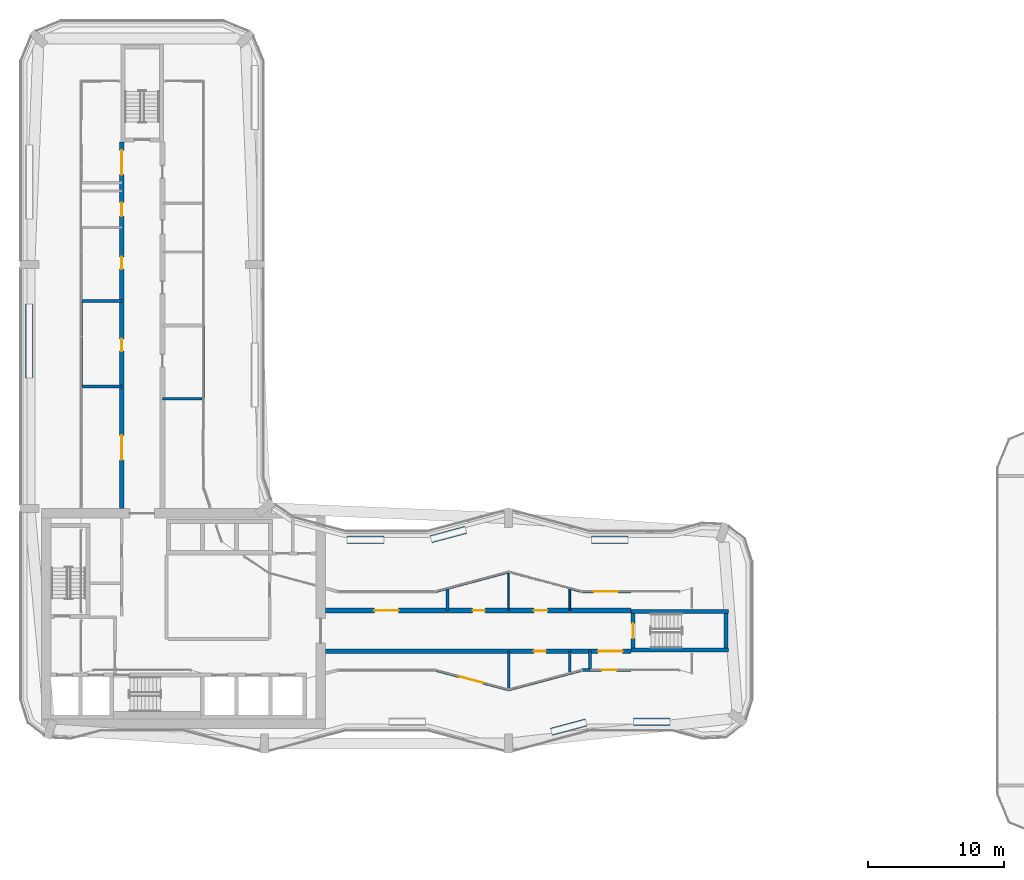
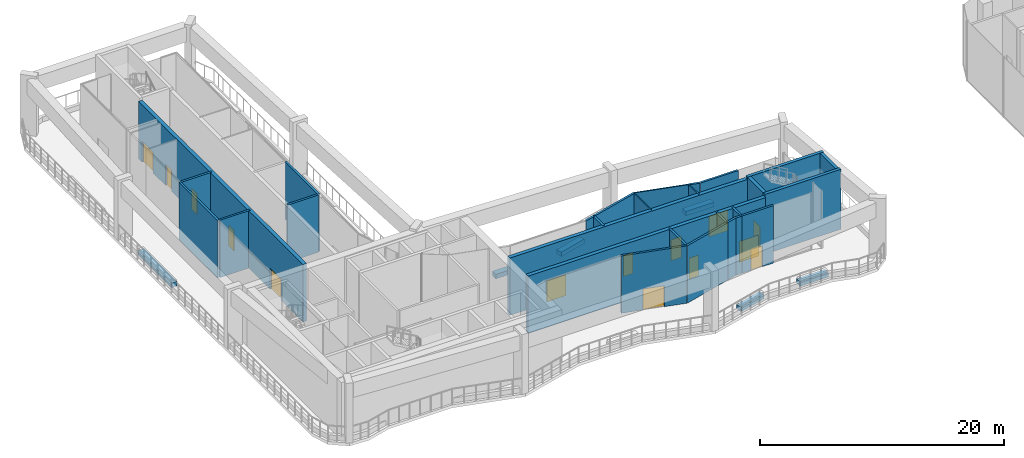
# One storey, part 15 of 24: 34 walls, 14 doors, 14 openings.
"""IFC4 building model written with IfcOpenShell, lengths in metres."""

from ifc_helpers import new_model, si_unit, direction, frame, frame_2d, origin, place, context, subcontext, project, spatial, rectangle, extrude, material, layer, layer_set, type_object, element, fill, save


model = new_model("IFC4")

# Units and contexts
model_context = context("Model", 3, precision=1e-05, world=origin(), true_north=direction((0.0, 1.0)))
body_context = subcontext(model_context, "Body", "Model", "MODEL_VIEW")
ifc_project = project(units=[si_unit("LENGTHUNIT", "METRE"), si_unit("AREAUNIT", "SQUARE_METRE"), si_unit("VOLUMEUNIT", "CUBIC_METRE"), si_unit("PLANEANGLEUNIT", "RADIAN"), si_unit("MASSUNIT", "GRAM", prefix="KILO")], contexts=[model_context])

# Site, building, storey
site_placement = place(None, origin())
site = spatial("IfcSite", under=ifc_project, at=site_placement, CompositionType="ELEMENT")
building_placement = place(site_placement, origin())
building = spatial("IfcBuilding", under=site, at=building_placement, Name="Plateau Cross Towers", CompositionType="ELEMENT")
storey_placement = place(building_placement, frame((0.0, 0.0, 72.300048828125)))
storey = spatial("IfcBuildingStorey", under=building, at=storey_placement, Name="L18", CompositionType="ELEMENT", Elevation=72.300048828125)

# Wall, openings, doors
ifc_material_1 = material(Name="Concrete C60/75", Category="concrete")
ifc_layer_1 = layer(ifc_material_1, 0.35009765625)
ifc_layer_set_1 = layer_set([ifc_layer_1], Name="Concrete C60/75")
wall_type_1 = type_object("IfcWallType", Name="Outrigger wall 350", PredefinedType="SHEAR", material=ifc_layer_set_1)
wall_1_placement = place(storey_placement, frame((22.5, 7.5, 0.0), z_axis=(0.0, 0.0, 1.0), x_axis=(1.0, 0.0, 0.0)))
wall_1 = element("IfcWall", 1, at=wall_1_placement, inside=storey, type_object=wall_type_1, Name="A-cw-S1@L18", PredefinedType="SHEAR", context=body_context, shape_type="SweptSolid", body=[
    extrude(rectangle(XDim=22.5, YDim=0.35009765625, at=frame_2d((11.25, 0.0))), origin(), (0.0, 0.0, 1.0), 5.75),
])
opening_1_placement = place(wall_1_placement, frame((20.10009765625, 0.0, 0.0)))
opening_1 = element("IfcOpeningElement", 2, at=opening_1_placement, cuts=wall_1, Name="Opening 18-01", PredefinedType="OPENING", context=body_context, shape_type="SweptSolid", body=[
    extrude(rectangle(XDim=1.800048828125, YDim=2.10009765625, at=frame_2d((0.89990234375, 1.050048828125))), frame((0.0, 0.18505859375, 0.0), z_axis=(0.0, -1.0, 0.0), x_axis=(1.0, 0.0, 0.0)), (0.0, 0.0, 1.0), 0.3701171875),
])
opening_2_placement = place(wall_1_placement, frame((15.35009765625, 0.0, 0.0)))
opening_2 = element("IfcOpeningElement", 3, at=opening_2_placement, cuts=wall_1, Name="Opening 18-04", PredefinedType="OPENING", context=body_context, shape_type="SweptSolid", body=[
    extrude(rectangle(XDim=0.89990234375, YDim=2.10009765625, at=frame_2d((0.449951171875, 1.050048828125))), frame((0.0, 0.18505859375, 0.0), z_axis=(0.0, -1.0, 0.0), x_axis=(1.0, 0.0, 0.0)), (0.0, 0.0, 1.0), 0.3701171875),
])
ifc_material_2 = material(Name="Aluminium frame, toughened glass", Category="aluminium")
door_type_1 = type_object("IfcDoorType", Name="Podium door pair 1800", OperationType="NOTDEFINED", PredefinedType="DOOR", material=ifc_material_2)
door_1_placement = place(opening_1_placement, origin())
door_1 = element("IfcDoor", 4, at=door_1_placement, inside=storey, type_object=door_type_1, Name="Door 18-01", OperationType="DOUBLE_DOOR_SINGLE_SWING", OverallHeight=2.10009765625, OverallWidth=1.800048828125, PredefinedType="DOOR", context=body_context, shape_type="SweptSolid", body=[
    extrude(rectangle(XDim=1.800048828125, YDim=2.10009765625, at=frame_2d((0.89990234375, 1.050048828125))), frame((0.0, 0.02490234375, 0.0), z_axis=(0.0, -1.0, 0.0), x_axis=(1.0, 0.0, 0.0)), (0.0, 0.0, 1.0), 0.050048828125),
])
fill(opening_1, door_1)
ifc_material_3 = material(Name="Timber leaf", Category="wood")
door_type_2 = type_object("IfcDoorType", Name="Podium room door 900", OperationType="NOTDEFINED", PredefinedType="DOOR", material=ifc_material_3)
door_2_placement = place(opening_2_placement, origin())
door_2 = element("IfcDoor", 5, at=door_2_placement, inside=storey, type_object=door_type_2, Name="Door 18-04", OperationType="SINGLE_SWING_RIGHT", OverallHeight=2.10009765625, OverallWidth=0.89990234375, PredefinedType="DOOR", context=body_context, shape_type="SweptSolid", body=[
    extrude(rectangle(XDim=0.89990234375, YDim=2.10009765625, at=frame_2d((0.449951171875, 1.050048828125))), frame((0.0, 0.02490234375, 0.0), z_axis=(0.0, -1.0, 0.0), x_axis=(1.0, 0.0, 0.0)), (0.0, 0.0, 1.0), 0.050048828125),
])
fill(opening_2, door_2)

wall_2_placement = place(storey_placement, frame((22.5, 10.5, 0.0), z_axis=(0.0, 0.0, 1.0), x_axis=(1.0, 0.0, 0.0)))
wall_2 = element("IfcWall", 6, at=wall_2_placement, inside=storey, type_object=wall_type_1, Name="A-cw-S2@L18", PredefinedType="SHEAR", context=body_context, shape_type="SweptSolid", body=[
    extrude(rectangle(XDim=22.5, YDim=0.35009765625, at=frame_2d((11.25, 0.0))), origin(), (0.0, 0.0, 1.0), 5.75),
])
opening_3_placement = place(wall_2_placement, frame((10.85009765625, 0.0, 0.0)))
opening_3 = element("IfcOpeningElement", 7, at=opening_3_placement, cuts=wall_2, Name="Opening 18-05", PredefinedType="OPENING", context=body_context, shape_type="SweptSolid", body=[
    extrude(rectangle(XDim=0.89990234375, YDim=2.10009765625, at=frame_2d((0.449951171875, 1.050048828125))), frame((0.0, 0.18505859375, 0.0), z_axis=(0.0, -1.0, 0.0), x_axis=(1.0, 0.0, 0.0)), (0.0, 0.0, 1.0), 0.3701171875),
])
opening_4_placement = place(wall_2_placement, frame((15.35009765625, 0.0, 0.0)))
opening_4 = element("IfcOpeningElement", 8, at=opening_4_placement, cuts=wall_2, Name="Opening 18-06", PredefinedType="OPENING", context=body_context, shape_type="SweptSolid", body=[
    extrude(rectangle(XDim=1.0, YDim=2.10009765625, at=frame_2d((0.5, 1.050048828125))), frame((0.0, 0.18505859375, 0.0), z_axis=(0.0, -1.0, 0.0), x_axis=(1.0, 0.0, 0.0)), (0.0, 0.0, 1.0), 0.3701171875),
])
opening_5_placement = place(wall_2_placement, frame((3.60009765625, 0.0, 0.0)))
opening_5 = element("IfcOpeningElement", 9, at=opening_5_placement, cuts=wall_2, Name="Opening 18-19", PredefinedType="OPENING", context=body_context, shape_type="SweptSolid", body=[
    extrude(rectangle(XDim=1.800048828125, YDim=2.10009765625, at=frame_2d((0.89990234375, 1.050048828125))), frame((0.0, 0.18505859375, 0.0), z_axis=(0.0, -1.0, 0.0), x_axis=(1.0, 0.0, 0.0)), (0.0, 0.0, 1.0), 0.3701171875),
])
door_type_3 = type_object("IfcDoorType", Name="Podium clinic door 1000", OperationType="NOTDEFINED", PredefinedType="DOOR", material=ifc_material_3)
door_3_placement = place(opening_4_placement, origin())
door_3 = element("IfcDoor", 10, at=door_3_placement, inside=storey, type_object=door_type_3, Name="Door 18-06", OperationType="SINGLE_SWING_RIGHT", OverallHeight=2.10009765625, OverallWidth=1.0, PredefinedType="DOOR", context=body_context, shape_type="SweptSolid", body=[
    extrude(rectangle(XDim=1.0, YDim=2.10009765625, at=frame_2d((0.5, 1.050048828125))), frame((0.0, 0.02490234375, 0.0), z_axis=(0.0, -1.0, 0.0), x_axis=(1.0, 0.0, 0.0)), (0.0, 0.0, 1.0), 0.050048828125),
])
fill(opening_4, door_3)
door_4_placement = place(opening_5_placement, origin())
door_4 = element("IfcDoor", 11, at=door_4_placement, inside=storey, type_object=door_type_1, Name="Door 18-19", OperationType="DOUBLE_DOOR_SINGLE_SWING", OverallHeight=2.10009765625, OverallWidth=1.800048828125, PredefinedType="DOOR", context=body_context, shape_type="SweptSolid", body=[
    extrude(rectangle(XDim=1.800048828125, YDim=2.10009765625, at=frame_2d((0.89990234375, 1.050048828125))), frame((0.0, 0.02490234375, 0.0), z_axis=(0.0, -1.0, 0.0), x_axis=(1.0, 0.0, 0.0)), (0.0, 0.0, 1.0), 0.050048828125),
])
fill(opening_5, door_4)
door_5_placement = place(opening_3_placement, origin())
door_5 = element("IfcDoor", 12, at=door_5_placement, inside=storey, type_object=door_type_2, Name="Door 18-05", OperationType="SINGLE_SWING_LEFT", OverallHeight=2.10009765625, OverallWidth=0.89990234375, PredefinedType="DOOR", context=body_context, shape_type="SweptSolid", body=[
    extrude(rectangle(XDim=0.89990234375, YDim=2.10009765625, at=frame_2d((0.449951171875, 1.050048828125))), frame((0.0, 0.02490234375, 0.0), z_axis=(0.0, -1.0, 0.0), x_axis=(1.0, 0.0, 0.0)), (0.0, 0.0, 1.0), 0.050048828125),
])
fill(opening_3, door_5)

wall_3_placement = place(storey_placement, frame((7.5, 18.0, 0.0), z_axis=(0.0, 0.0, 1.0), x_axis=(0.0, 1.0, 0.0)))
wall_3 = element("IfcWall", 13, at=wall_3_placement, inside=storey, type_object=wall_type_1, Name="A-cw-W1@L18", PredefinedType="SHEAR", context=body_context, shape_type="SweptSolid", body=[
    extrude(rectangle(XDim=27.0, YDim=0.35009765625, at=frame_2d((13.5, 0.0))), origin(), (0.0, 0.0, 1.0), 5.75),
])
opening_6_placement = place(wall_3_placement, frame((24.60009765625, 0.0, 0.0)))
opening_6 = element("IfcOpeningElement", 14, at=opening_6_placement, cuts=wall_3, Name="Opening 18-03", PredefinedType="OPENING", context=body_context, shape_type="SweptSolid", body=[
    extrude(rectangle(XDim=1.800048828125, YDim=2.10009765625, at=frame_2d((0.89990234375, 1.050048828125))), frame((0.0, 0.18505859375, 0.0), z_axis=(0.0, -1.0, 0.0), x_axis=(1.0, 0.0, 0.0)), (0.0, 0.0, 1.0), 0.3701171875),
])
opening_7_placement = place(wall_3_placement, frame((11.60009765625, 0.0, 0.0)))
opening_7 = element("IfcOpeningElement", 15, at=opening_7_placement, cuts=wall_3, Name="Opening 18-07", PredefinedType="OPENING", context=body_context, shape_type="SweptSolid", body=[
    extrude(rectangle(XDim=0.89990234375, YDim=2.10009765625, at=frame_2d((0.449951171875, 1.050048828125))), frame((0.0, 0.18505859375, 0.0), z_axis=(0.0, -1.0, 0.0), x_axis=(1.0, 0.0, 0.0)), (0.0, 0.0, 1.0), 0.3701171875),
])
opening_8_placement = place(wall_3_placement, frame((17.64990234375, 0.0, 0.0)))
opening_8 = element("IfcOpeningElement", 16, at=opening_8_placement, cuts=wall_3, Name="Opening 18-08", PredefinedType="OPENING", context=body_context, shape_type="SweptSolid", body=[
    extrude(rectangle(XDim=0.89990234375, YDim=2.10009765625, at=frame_2d((0.449951171875, 1.050048828125))), frame((0.0, 0.18505859375, 0.0), z_axis=(0.0, -1.0, 0.0), x_axis=(1.0, 0.0, 0.0)), (0.0, 0.0, 1.0), 0.3701171875),
])
opening_9_placement = place(wall_3_placement, frame((21.550048828125, 0.0, 0.0)))
opening_9 = element("IfcOpeningElement", 17, at=opening_9_placement, cuts=wall_3, Name="Opening 18-09", PredefinedType="OPENING", context=body_context, shape_type="SweptSolid", body=[
    extrude(rectangle(XDim=1.0, YDim=2.10009765625, at=frame_2d((0.5, 1.050048828125))), frame((0.0, 0.18505859375, 0.0), z_axis=(0.0, -1.0, 0.0), x_axis=(1.0, 0.0, 0.0)), (0.0, 0.0, 1.0), 0.3701171875),
])
opening_10_placement = place(wall_3_placement, frame((3.60009765625, 0.0, 0.0)))
opening_10 = element("IfcOpeningElement", 18, at=opening_10_placement, cuts=wall_3, Name="Opening 18-17", PredefinedType="OPENING", context=body_context, shape_type="SweptSolid", body=[
    extrude(rectangle(XDim=1.800048828125, YDim=2.10009765625, at=frame_2d((0.89990234375, 1.050048828125))), frame((0.0, 0.18505859375, 0.0), z_axis=(0.0, -1.0, 0.0), x_axis=(1.0, 0.0, 0.0)), (0.0, 0.0, 1.0), 0.3701171875),
])
door_6_placement = place(opening_9_placement, origin())
door_6 = element("IfcDoor", 19, at=door_6_placement, inside=storey, type_object=door_type_3, Name="Door 18-09", OperationType="SINGLE_SWING_RIGHT", OverallHeight=2.10009765625, OverallWidth=1.0, PredefinedType="DOOR", context=body_context, shape_type="SweptSolid", body=[
    extrude(rectangle(XDim=1.0, YDim=2.10009765625, at=frame_2d((0.5, 1.050048828125))), frame((0.0, 0.02490234375, 0.0), z_axis=(0.0, -1.0, 0.0), x_axis=(1.0, 0.0, 0.0)), (0.0, 0.0, 1.0), 0.050048828125),
])
fill(opening_9, door_6)
door_7_placement = place(opening_6_placement, origin())
door_7 = element("IfcDoor", 20, at=door_7_placement, inside=storey, type_object=door_type_1, Name="Door 18-03", OperationType="DOUBLE_DOOR_SINGLE_SWING", OverallHeight=2.10009765625, OverallWidth=1.800048828125, PredefinedType="DOOR", context=body_context, shape_type="SweptSolid", body=[
    extrude(rectangle(XDim=1.800048828125, YDim=2.10009765625, at=frame_2d((0.89990234375, 1.050048828125))), frame((0.0, 0.02490234375, 0.0), z_axis=(0.0, -1.0, 0.0), x_axis=(1.0, 0.0, 0.0)), (0.0, 0.0, 1.0), 0.050048828125),
])
fill(opening_6, door_7)
door_8_placement = place(opening_10_placement, origin())
door_8 = element("IfcDoor", 21, at=door_8_placement, inside=storey, type_object=door_type_1, Name="Door 18-17", OperationType="DOUBLE_DOOR_SINGLE_SWING", OverallHeight=2.10009765625, OverallWidth=1.800048828125, PredefinedType="DOOR", context=body_context, shape_type="SweptSolid", body=[
    extrude(rectangle(XDim=1.800048828125, YDim=2.10009765625, at=frame_2d((0.89990234375, 1.050048828125))), frame((0.0, 0.02490234375, 0.0), z_axis=(0.0, -1.0, 0.0), x_axis=(1.0, 0.0, 0.0)), (0.0, 0.0, 1.0), 0.050048828125),
])
fill(opening_10, door_8)
door_9_placement = place(opening_7_placement, origin())
door_9 = element("IfcDoor", 22, at=door_9_placement, inside=storey, type_object=door_type_2, Name="Door 18-07", OperationType="SINGLE_SWING_LEFT", OverallHeight=2.10009765625, OverallWidth=0.89990234375, PredefinedType="DOOR", context=body_context, shape_type="SweptSolid", body=[
    extrude(rectangle(XDim=0.89990234375, YDim=2.10009765625, at=frame_2d((0.449951171875, 1.050048828125))), frame((0.0, 0.02490234375, 0.0), z_axis=(0.0, -1.0, 0.0), x_axis=(1.0, 0.0, 0.0)), (0.0, 0.0, 1.0), 0.050048828125),
])
fill(opening_7, door_9)
door_10_placement = place(opening_8_placement, origin())
door_10 = element("IfcDoor", 23, at=door_10_placement, inside=storey, type_object=door_type_2, Name="Door 18-08", OperationType="SINGLE_SWING_RIGHT", OverallHeight=2.10009765625, OverallWidth=0.89990234375, PredefinedType="DOOR", context=body_context, shape_type="SweptSolid", body=[
    extrude(rectangle(XDim=0.89990234375, YDim=2.10009765625, at=frame_2d((0.449951171875, 1.050048828125))), frame((0.0, 0.02490234375, 0.0), z_axis=(0.0, -1.0, 0.0), x_axis=(1.0, 0.0, 0.0)), (0.0, 0.0, 1.0), 0.050048828125),
])
fill(opening_8, door_10)

# Walls
ifc_material_4 = material(Name="Concrete C30/37", Category="concrete")
ifc_layer_2 = layer(ifc_material_4, 0.550048828125)
ifc_layer_set_2 = layer_set([ifc_layer_2], Name="Concrete C30/37")
wall_type_2 = type_object("IfcWallType", Name="Planter upstand 550", PredefinedType="STANDARD", material=ifc_layer_set_2)
wall_4_placement = place(storey_placement, frame((0.695068359375, 27.638916015625, 0.0), z_axis=(0.0, 0.0, 1.0), x_axis=(0.0, 1.0, 0.0)))
element("IfcWall", 24, at=wall_4_placement, inside=storey, type_object=wall_type_2, Name="Planter 1", PredefinedType="STANDARD", context=body_context, shape_type="SweptSolid", body=[
    extrude(rectangle(XDim=5.455810546875, YDim=0.550048828125, at=frame_2d((2.72802734375, 0.0))), origin(), (0.0, 0.0, 1.0), 0.449951171875),
])
wall_5_placement = place(storey_placement, frame((24.108642578125, 15.697998046875, 0.0), z_axis=(0.0, 0.0, 1.0), x_axis=(1.0, 0.0, 0.0)))
element("IfcWall", 25, at=wall_5_placement, inside=storey, type_object=wall_type_2, Name="Planter 5", PredefinedType="STANDARD", context=body_context, shape_type="SweptSolid", body=[
    extrude(rectangle(XDim=2.69140625, YDim=0.550048828125, at=frame_2d((1.345703125, 0.0))), origin(), (0.0, 0.0, 1.0), 0.449951171875),
])
wall_6_placement = place(storey_placement, frame((30.28466796875, 15.749755859375, 0.0), z_axis=(0.0, 0.0, 1.0), x_axis=(0.96595542878, 0.258708541821, 0.0)))
element("IfcWall", 26, at=wall_6_placement, inside=storey, type_object=wall_type_2, Name="Planter 6", PredefinedType="STANDARD", context=body_context, shape_type="SweptSolid", body=[
    extrude(rectangle(XDim=2.658447265625, YDim=0.550048828125, at=frame_2d((1.3291015625, 0.0))), origin(), (0.0, 0.0, 1.0), 0.449951171875),
])
for number, where, z_axis, x_axis, name in (
    (27, (42.108642578125, 15.697998046875, 0.0), (0.0, 0.0, 1.0), (1.0, 0.0, 0.0), "Planter 7"),
    (28, (47.891357421875, 2.302001953125, 0.0), (0.0, 0.0, 1.0), (-1.0, 0.0, 0.0), "Planter 8"),
):
    element("IfcWall", number, at=place(storey_placement, frame(where, z_axis=z_axis, x_axis=x_axis)), inside=storey, type_object=wall_type_2, Name=name, PredefinedType="STANDARD", context=body_context, shape_type="SweptSolid", body=[
        extrude(rectangle(XDim=2.69140625, YDim=0.550048828125, at=frame_2d((1.345703125, 0.0))), origin(), (0.0, 0.0, 1.0), 0.449951171875),
    ])
wall_7_placement = place(storey_placement, frame((41.71533203125, 2.250244140625, 0.0), z_axis=(0.0, 0.0, 1.0), x_axis=(-0.96595542878, -0.258708541821, 0.0)))
element("IfcWall", 29, at=wall_7_placement, inside=storey, type_object=wall_type_2, Name="Planter 9", PredefinedType="STANDARD", context=body_context, shape_type="SweptSolid", body=[
    extrude(rectangle(XDim=2.658447265625, YDim=0.550048828125, at=frame_2d((1.3291015625, 0.0))), origin(), (0.0, 0.0, 1.0), 0.449951171875),
])

# Wall, opening, door
ifc_material_5 = material(Name="Gypsum board on steel studs, two layers each side", Category="steel")
ifc_layer_3 = layer(ifc_material_5, 0.199951171875)
ifc_layer_set_3 = layer_set([ifc_layer_3], Name="Gypsum board on steel studs, two layers each side")
wall_type_3 = type_object("IfcWallType", Name="Podium compartment wall 200", PredefinedType="PARTITIONING", material=ifc_layer_set_3)
wall_8_placement = place(storey_placement, frame((42.0, 6.10693359375, 0.0), z_axis=(0.0, 0.0, 1.0), x_axis=(1.0, 0.0, 0.0)))
wall_8 = element("IfcWall", 30, at=wall_8_placement, inside=storey, type_object=wall_type_3, Name="Partition wall", PredefinedType="PARTITIONING", context=body_context, shape_type="SweptSolid", body=[
    extrude(rectangle(XDim=3.0, YDim=0.199951171875, at=frame_2d((1.5, 0.0))), origin(), (0.0, 0.0, 1.0), 5.75),
])
opening_11_placement = place(wall_8_placement, frame((0.85009765625, 0.0, 0.0)))
opening_11 = element("IfcOpeningElement", 31, at=opening_11_placement, cuts=wall_8, Name="Opening 18-02", PredefinedType="OPENING", context=body_context, shape_type="SweptSolid", body=[
    extrude(rectangle(XDim=1.10009765625, YDim=2.10009765625, at=frame_2d((0.550048828125, 1.050048828125))), frame((0.0, 0.10986328125, 0.0), z_axis=(0.0, -1.0, 0.0), x_axis=(1.0, 0.0, 0.0)), (0.0, 0.0, 1.0), 0.219970703125),
])
ifc_material_6 = material(Name="Timber, fire-resisting leaf", Category="wood")
door_type_4 = type_object("IfcDoorType", Name="Podium fire door 1100", OperationType="NOTDEFINED", PredefinedType="DOOR", material=ifc_material_6)
door_11_placement = place(opening_11_placement, origin())
door_11 = element("IfcDoor", 32, at=door_11_placement, inside=storey, type_object=door_type_4, Name="Door 18-02", OperationType="SINGLE_SWING_LEFT", OverallHeight=2.10009765625, OverallWidth=1.10009765625, PredefinedType="DOOR", context=body_context, shape_type="SweptSolid", body=[
    extrude(rectangle(XDim=1.10009765625, YDim=2.10009765625, at=frame_2d((0.550048828125, 1.050048828125))), frame((0.0, 0.02490234375, 0.0), z_axis=(0.0, -1.0, 0.0), x_axis=(1.0, 0.0, 0.0)), (0.0, 0.0, 1.0), 0.050048828125),
])
fill(opening_11, door_11)

ifc_material_7 = material(Name="Gypsum board on steel studs", Category="steel")
ifc_layer_4 = layer(ifc_material_7, 0.199951171875)
ifc_layer_set_4 = layer_set([ifc_layer_4], Name="Gypsum board on steel studs")
wall_type_4 = type_object("IfcWallType", Name="Podium partition 200", PredefinedType="PARTITIONING", material=ifc_layer_set_4)
wall_9_placement = place(storey_placement, frame((30.592041015625, 6.10693359375, 0.0), z_axis=(0.0, 0.0, 1.0), x_axis=(0.96597315334, -0.258642353504, 0.0)))
wall_9 = element("IfcWall", 33, at=wall_9_placement, inside=storey, type_object=wall_type_4, Name="Partition wall", PredefinedType="PARTITIONING", context=body_context, shape_type="SweptSolid", body=[
    extrude(rectangle(XDim=5.598388671875, YDim=0.199951171875, at=frame_2d((2.79931640625, 0.0))), origin(), (0.0, 0.0, 1.0), 5.75),
])
opening_12_placement = place(wall_9_placement, frame((1.85009765625, 0.0, 0.0)))
opening_12 = element("IfcOpeningElement", 34, at=opening_12_placement, cuts=wall_9, Name="Opening 18-15", PredefinedType="OPENING", context=body_context, shape_type="SweptSolid", body=[
    extrude(rectangle(XDim=1.800048828125, YDim=2.10009765625, at=frame_2d((0.89990234375, 1.050048828125))), frame((0.0, 0.10986328125, 0.0), z_axis=(0.0, -1.0, 0.0), x_axis=(1.0, 0.0, 0.0)), (0.0, 0.0, 1.0), 0.219970703125),
])
door_12_placement = place(opening_12_placement, origin())
door_12 = element("IfcDoor", 35, at=door_12_placement, inside=storey, type_object=door_type_1, Name="Door 18-15", OperationType="DOUBLE_DOOR_SINGLE_SWING", OverallHeight=2.10009765625, OverallWidth=1.800048828125, PredefinedType="DOOR", context=body_context, shape_type="SweptSolid", body=[
    extrude(rectangle(XDim=1.800048828125, YDim=2.10009765625, at=frame_2d((0.89990234375, 1.050048828125))), frame((0.0, 0.02490234375, 0.0), z_axis=(0.0, -1.0, 0.0), x_axis=(1.0, 0.0, 0.0)), (0.0, 0.0, 1.0), 0.050048828125),
])
fill(opening_12, door_12)

# Walls
wall_10_placement = place(storey_placement, frame((30.592041015625, 11.89306640625, 0.0), z_axis=(0.0, 0.0, 1.0), x_axis=(0.96602336302, 0.258454758323, 0.0)))
element("IfcWall", 36, at=wall_10_placement, inside=storey, type_object=wall_type_4, Name="Partition wall", PredefinedType="PARTITIONING", context=body_context, shape_type="SweptSolid", body=[
    extrude(rectangle(XDim=0.93994140625, YDim=0.199951171875, at=frame_2d((0.469970703125, 0.0))), origin(), (0.0, 0.0, 1.0), 5.75),
])
wall_11_placement = place(storey_placement, frame((4.5, 33.300048828125, 0.0), z_axis=(0.0, 0.0, 1.0), x_axis=(0.0, -1.0, 0.0)))
element("IfcWall", 37, at=wall_11_placement, inside=storey, type_object=wall_type_4, Name="Partition wall", PredefinedType="PARTITIONING", context=body_context, shape_type="SweptSolid", body=[
    extrude(rectangle(XDim=6.300048828125, YDim=0.199951171875, at=frame_2d((3.14990234375, 0.0))), origin(), (0.0, 0.0, 1.0), 5.75),
])
wall_12_placement = place(storey_placement, frame((13.5, 26.10009765625, 0.0), z_axis=(0.0, 0.0, 1.0), x_axis=(0.0, 1.0, 0.0)))
element("IfcWall", 38, at=wall_12_placement, inside=storey, type_object=wall_type_4, Name="Partition wall", PredefinedType="PARTITIONING", context=body_context, shape_type="SweptSolid", body=[
    extrude(rectangle(XDim=5.39990234375, YDim=0.199951171875, at=frame_2d((2.699951171875, 0.0))), origin(), (0.0, 0.0, 1.0), 5.75),
])
for number, where, z_axis, x_axis, name in (
    (39, (36.0, 4.658935546875, 0.0), (0.0, 0.0, 1.0), (0.965963018817, 0.258680200786, 0.0), "Partition wall"),
    (40, (36.0, 13.341064453125, 0.0), (0.0, 0.0, 1.0), (-0.965963018817, -0.258680200786, 0.0), "Partition wall"),
):
    element("IfcWall", number, at=place(storey_placement, frame(where, z_axis=z_axis, x_axis=x_axis)), inside=storey, type_object=wall_type_4, Name=name, PredefinedType="PARTITIONING", context=body_context, shape_type="SweptSolid", body=[
        extrude(rectangle(XDim=4.658447265625, YDim=0.199951171875, at=frame_2d((2.3291015625, 0.0))), origin(), (0.0, 0.0, 1.0), 5.75),
    ])
wall_13_placement = place(storey_placement, frame((40.5, 12.135986328125, 0.0), z_axis=(0.0, 0.0, 1.0), x_axis=(0.96602336302, -0.258454758323, 0.0)))
element("IfcWall", 41, at=wall_13_placement, inside=storey, type_object=wall_type_4, Name="Partition wall", PredefinedType="PARTITIONING", context=body_context, shape_type="SweptSolid", body=[
    extrude(rectangle(XDim=0.93994140625, YDim=0.199951171875, at=frame_2d((0.469970703125, 0.0))), origin(), (0.0, 0.0, 1.0), 5.75),
])

# Wall, opening, door
wall_14_placement = place(storey_placement, frame((41.407958984375, 11.89306640625, 0.0), z_axis=(0.0, 0.0, 1.0), x_axis=(1.0, 0.0, 0.0)))
wall_14 = element("IfcWall", 42, at=wall_14_placement, inside=storey, type_object=wall_type_4, Name="Partition wall", PredefinedType="PARTITIONING", context=body_context, shape_type="SweptSolid", body=[
    extrude(rectangle(XDim=3.592041015625, YDim=0.199951171875, at=frame_2d((1.7958984375, 0.0))), origin(), (0.0, 0.0, 1.0), 5.75),
])
opening_13_placement = place(wall_14_placement, frame((0.85009765625, 0.0, 0.0)))
opening_13 = element("IfcOpeningElement", 43, at=opening_13_placement, cuts=wall_14, Name="Opening 18-14", PredefinedType="OPENING", context=body_context, shape_type="SweptSolid", body=[
    extrude(rectangle(XDim=1.800048828125, YDim=2.10009765625, at=frame_2d((0.89990234375, 1.050048828125))), frame((0.0, 0.10986328125, 0.0), z_axis=(0.0, -1.0, 0.0), x_axis=(1.0, 0.0, 0.0)), (0.0, 0.0, 1.0), 0.219970703125),
])
door_13_placement = place(opening_13_placement, origin())
door_13 = element("IfcDoor", 44, at=door_13_placement, inside=storey, type_object=door_type_1, Name="Door 18-14", OperationType="DOUBLE_DOOR_SINGLE_SWING", OverallHeight=2.10009765625, OverallWidth=1.800048828125, PredefinedType="DOOR", context=body_context, shape_type="SweptSolid", body=[
    extrude(rectangle(XDim=1.800048828125, YDim=2.10009765625, at=frame_2d((0.89990234375, 1.050048828125))), frame((0.0, 0.02490234375, 0.0), z_axis=(0.0, -1.0, 0.0), x_axis=(1.0, 0.0, 0.0)), (0.0, 0.0, 1.0), 0.050048828125),
])
fill(opening_13, door_13)

# Walls
for number, where, z_axis, x_axis, name in (
    (45, (4.60009765625, 33.300048828125, 0.0), (0.0, 0.0, 1.0), (1.0, 0.0, 0.0), "Partition wall"),
    (46, (4.60009765625, 27.0, 0.0), (0.0, 0.0, 1.0), (1.0, 0.0, 0.0), "Partition wall"),
    (47, (10.5, 26.10009765625, 0.0), (0.0, 0.0, 1.0), (1.0, 0.0, 0.0), "Partition wall"),
):
    element("IfcWall", number, at=place(storey_placement, frame(where, z_axis=z_axis, x_axis=x_axis)), inside=storey, type_object=wall_type_4, Name=name, PredefinedType="PARTITIONING", context=body_context, shape_type="SweptSolid", body=[
        extrude(rectangle(XDim=2.89990234375, YDim=0.199951171875, at=frame_2d((1.449951171875, 0.0))), origin(), (0.0, 0.0, 1.0), 5.75),
    ])
wall_15_placement = place(storey_placement, frame((36.0, 7.5, 0.0), z_axis=(0.0, 0.0, 1.0), x_axis=(0.0, -1.0, 0.0)))
element("IfcWall", 48, at=wall_15_placement, inside=storey, type_object=wall_type_4, Name="Partition wall", PredefinedType="PARTITIONING", context=body_context, shape_type="SweptSolid", body=[
    extrude(rectangle(XDim=2.737060546875, YDim=0.199951171875, at=frame_2d((1.36865234375, 0.0))), origin(), (0.0, 0.0, 1.0), 5.75),
])
for number, where, z_axis, x_axis, name in (
    (49, (40.5, 5.864013671875, 0.0), (0.0, 0.0, 1.0), (0.0, 1.0, 0.0), "Partition wall"),
    (50, (31.5, 12.135986328125, 0.0), (0.0, 0.0, 1.0), (0.0, -1.0, 0.0), "Partition wall"),
):
    element("IfcWall", number, at=place(storey_placement, frame(where, z_axis=z_axis, x_axis=x_axis)), inside=storey, type_object=wall_type_4, Name=name, PredefinedType="PARTITIONING", context=body_context, shape_type="SweptSolid", body=[
        extrude(rectangle(XDim=1.635986328125, YDim=0.199951171875, at=frame_2d((0.81787109375, 0.0))), origin(), (0.0, 0.0, 1.0), 5.75),
    ])
wall_16_placement = place(storey_placement, frame((42.0, 6.10693359375, 0.0), z_axis=(0.0, 0.0, 1.0), x_axis=(-1.0, 0.0, 0.0)))
element("IfcWall", 51, at=wall_16_placement, inside=storey, type_object=wall_type_4, Name="Partition wall", PredefinedType="PARTITIONING", context=body_context, shape_type="SweptSolid", body=[
    extrude(rectangle(XDim=0.592041015625, YDim=0.199951171875, at=frame_2d((0.2958984375, 0.0))), origin(), (0.0, 0.0, 1.0), 5.75),
])
wall_17_placement = place(storey_placement, frame((41.407958984375, 6.10693359375, 0.0), z_axis=(0.0, 0.0, 1.0), x_axis=(-0.96602336302, -0.258454758323, 0.0)))
element("IfcWall", 52, at=wall_17_placement, inside=storey, type_object=wall_type_4, Name="Partition wall", PredefinedType="PARTITIONING", context=body_context, shape_type="SweptSolid", body=[
    extrude(rectangle(XDim=0.93994140625, YDim=0.199951171875, at=frame_2d((0.469970703125, 0.0))), origin(), (0.0, 0.0, 1.0), 5.75),
])
wall_18_placement = place(storey_placement, frame((42.0, 7.5, 0.0), z_axis=(0.0, 0.0, 1.0), x_axis=(0.0, -1.0, 0.0)))
element("IfcWall", 53, at=wall_18_placement, inside=storey, type_object=wall_type_4, Name="Partition wall", PredefinedType="PARTITIONING", context=body_context, shape_type="SweptSolid", body=[
    extrude(rectangle(XDim=1.29296875, YDim=0.199951171875, at=frame_2d((0.646484375, 0.0))), origin(), (0.0, 0.0, 1.0), 5.75),
])
ifc_material_8 = material(Name="Moisture-resistant board on steel studs, tiled one side", Category="steel")
ifc_layer_5 = layer(ifc_material_8, 0.1201171875)
ifc_layer_set_5 = layer_set([ifc_layer_5], Name="Moisture-resistant board on steel studs, tiled one side")
wall_type_5 = type_object("IfcWallType", Name="Sanitary partition 120", PredefinedType="PARTITIONING", material=ifc_layer_set_5)
wall_19_placement = place(storey_placement, frame((40.5, 12.135986328125, 0.0), z_axis=(0.0, 0.0, 1.0), x_axis=(-0.965963018817, 0.258680200786, 0.0)))
element("IfcWall", 54, at=wall_19_placement, inside=storey, type_object=wall_type_5, Name="Partition wall", PredefinedType="PARTITIONING", context=body_context, shape_type="SweptSolid", body=[
    extrude(rectangle(XDim=4.658447265625, YDim=0.1201171875, at=frame_2d((2.3291015625, 0.0))), origin(), (0.0, 0.0, 1.0), 5.75),
])
wall_20_placement = place(storey_placement, frame((36.0, 13.237060546875, 0.0), z_axis=(0.0, 0.0, 1.0), x_axis=(0.0, -1.0, 0.0)))
element("IfcWall", 55, at=wall_20_placement, inside=storey, type_object=wall_type_5, Name="Partition wall", PredefinedType="PARTITIONING", context=body_context, shape_type="SweptSolid", body=[
    extrude(rectangle(XDim=2.737060546875, YDim=0.1201171875, at=frame_2d((1.36865234375, 0.0))), origin(), (0.0, 0.0, 1.0), 5.75),
])
wall_21_placement = place(storey_placement, frame((40.5, 10.5, 0.0), z_axis=(0.0, 0.0, 1.0), x_axis=(0.0, 1.0, 0.0)))
element("IfcWall", 56, at=wall_21_placement, inside=storey, type_object=wall_type_5, Name="Partition wall", PredefinedType="PARTITIONING", context=body_context, shape_type="SweptSolid", body=[
    extrude(rectangle(XDim=1.635986328125, YDim=0.1201171875, at=frame_2d((0.81787109375, 0.0))), origin(), (0.0, 0.0, 1.0), 5.75),
])

# Wall, opening, door
ifc_layer_6 = layer(ifc_material_1, 0.300048828125)
ifc_layer_set_6 = layer_set([ifc_layer_6], Name="Concrete C60/75")
wall_type_6 = type_object("IfcWallType", Name="Stair tower wall 300", PredefinedType="SHEAR", material=ifc_layer_set_6)
wall_22_placement = place(storey_placement, frame((45.14990234375, 7.72509765625, 0.0), z_axis=(0.0, 0.0, 1.0), x_axis=(0.0, 1.0, 0.0)))
wall_22 = element("IfcWall", 57, at=wall_22_placement, inside=storey, type_object=wall_type_6, Name="A-end-E-W@L18", PredefinedType="SHEAR", context=body_context, shape_type="SweptSolid", body=[
    extrude(rectangle(XDim=2.5498046875, YDim=0.300048828125, at=frame_2d((1.27490234375, 0.0))), origin(), (0.0, 0.0, 1.0), 6.0),
])
opening_14_placement = place(wall_22_placement, frame((0.72509765625, 0.0, 0.0)))
opening_14 = element("IfcOpeningElement", 58, at=opening_14_placement, cuts=wall_22, Name="Opening SD", PredefinedType="OPENING", context=body_context, shape_type="SweptSolid", body=[
    extrude(rectangle(XDim=1.10009765625, YDim=2.10009765625, at=frame_2d((0.550048828125, 1.050048828125))), frame((0.0, 0.159912109375, 0.0), z_axis=(0.0, -1.0, 0.0), x_axis=(1.0, 0.0, 0.0)), (0.0, 0.0, 1.0), 0.320068359375),
])
ifc_material_9 = material(Name="Steel, fire-resisting leaf", Category="steel")
door_type_5 = type_object("IfcDoorType", Name="Stair door 1100", OperationType="NOTDEFINED", PredefinedType="DOOR", material=ifc_material_9)
door_14_placement = place(opening_14_placement, origin())
door_14 = element("IfcDoor", 59, at=door_14_placement, inside=storey, type_object=door_type_5, Name="Stair door SD", OperationType="SINGLE_SWING_LEFT", OverallHeight=2.10009765625, OverallWidth=1.10009765625, PredefinedType="DOOR", context=body_context, shape_type="SweptSolid", body=[
    extrude(rectangle(XDim=1.10009765625, YDim=2.10009765625, at=frame_2d((0.550048828125, 1.050048828125))), frame((0.0, 0.02490234375, 0.0), z_axis=(0.0, -1.0, 0.0), x_axis=(1.0, 0.0, 0.0)), (0.0, 0.0, 1.0), 0.050048828125),
])
fill(opening_14, door_14)

# Walls
wall_23_placement = place(storey_placement, frame((52.0, 7.72509765625, 0.0), z_axis=(0.0, 0.0, 1.0), x_axis=(0.0, 1.0, 0.0)))
element("IfcWall", 60, at=wall_23_placement, inside=storey, type_object=wall_type_6, Name="A-end-E-E@L18", PredefinedType="SHEAR", context=body_context, shape_type="SweptSolid", body=[
    extrude(rectangle(XDim=2.5498046875, YDim=0.300048828125, at=frame_2d((1.27490234375, 0.0))), origin(), (0.0, 0.0, 1.0), 6.0),
])
for number, where, z_axis, x_axis, name in (
    (61, (45.0, 7.574951171875, 0.0), (0.0, 0.0, 1.0), (1.0, 0.0, 0.0), "A-end-E-S@L18"),
    (62, (45.0, 10.425048828125, 0.0), (0.0, 0.0, 1.0), (1.0, 0.0, 0.0), "A-end-E-N@L18"),
):
    element("IfcWall", number, at=place(storey_placement, frame(where, z_axis=z_axis, x_axis=x_axis)), inside=storey, type_object=wall_type_6, Name=name, PredefinedType="SHEAR", context=body_context, shape_type="SweptSolid", body=[
        extrude(rectangle(XDim=7.199951171875, YDim=0.300048828125, at=frame_2d((3.60009765625, 0.0))), origin(), (0.0, 0.0, 1.0), 6.0),
    ])

save(model, "model.ifc")
